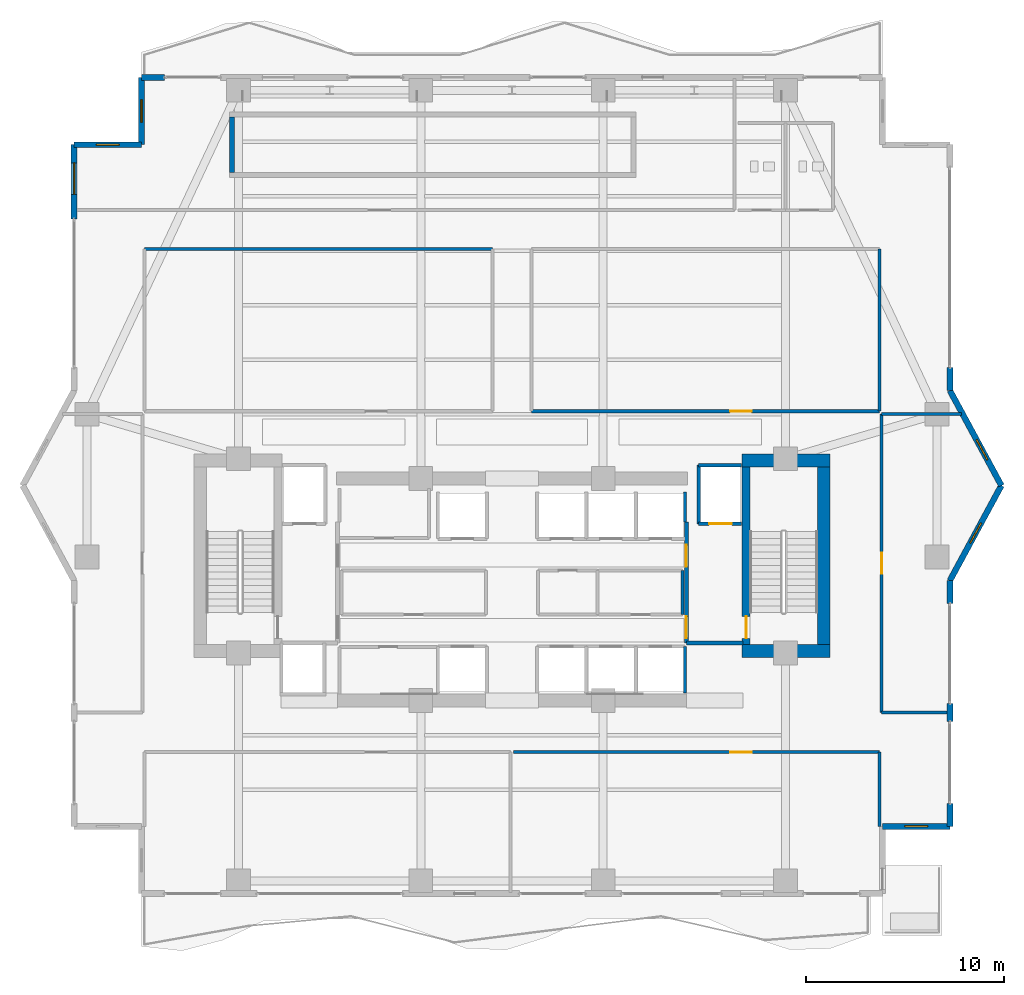
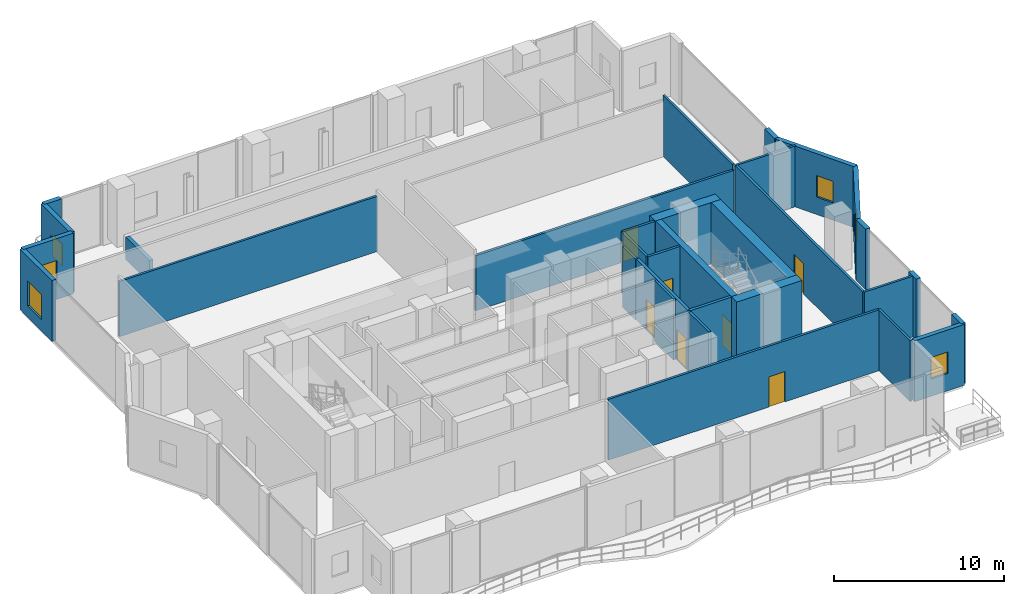
# One storey, part 28 of 33: 32 walls, 7 doors, 6 windows, 13 openings.
"""IFC4 building model written with IfcOpenShell, lengths in metres."""

from ifc_helpers import new_model, si_unit, direction, frame, frame_2d, origin, place, context, subcontext, project, spatial, rectangle, extrude, material, layer, layer_set, type_object, element, fill, save


model = new_model("IFC4")

# Units and contexts
model_context = context("Model", 3, precision=1e-05, world=origin(), true_north=direction((0.0, 1.0)))
body_context = subcontext(model_context, "Body", "Model", "MODEL_VIEW")
ifc_project = project(units=[si_unit("LENGTHUNIT", "METRE"), si_unit("AREAUNIT", "SQUARE_METRE"), si_unit("VOLUMEUNIT", "CUBIC_METRE"), si_unit("PLANEANGLEUNIT", "RADIAN"), si_unit("MASSUNIT", "GRAM", prefix="KILO")], contexts=[model_context])

# Site, building, storey
site_placement = place(None, origin())
site = spatial("IfcSite", under=ifc_project, at=site_placement, CompositionType="ELEMENT")
building_placement = place(site_placement, origin())
building = spatial("IfcBuilding", under=site, at=building_placement, Name="Zuhayl Quay Hotel", CompositionType="ELEMENT")
storey_placement = place(building_placement, frame((0.0, 0.0, 168.199951171875)))
storey = spatial("IfcBuildingStorey", under=building, at=storey_placement, Name="L42", CompositionType="ELEMENT", Elevation=168.199951171875)

# Walls
ifc_material_1 = material(Name="Concrete C50/60", Category="concrete")
ifc_layer_1 = layer(ifc_material_1, 0.64990234375, Name="Concrete C50/60", Category="concrete")
ifc_layer_set_1 = layer_set([ifc_layer_1], Name="Concrete C50/60")
wall_type_1 = type_object("IfcWallType", Name="WL_CORE_650", PredefinedType="SHEAR", material=ifc_layer_set_1)
wall_1_placement = place(storey_placement, frame((11.60009765625, 14.2548828125, 0.0), z_axis=(0.0, 0.0, 1.0), x_axis=(1.0, 0.0, 0.0)))
element("IfcWall", 1, at=wall_1_placement, inside=storey, type_object=wall_type_1, Name="L42 Core Shear Wall CW_NE", PredefinedType="SHEAR", context=body_context, shape_type="SweptSolid", body=[
    extrude(rectangle(XDim=4.4599609375, YDim=0.64990234375, at=frame_2d((2.22998046875, 0.0))), origin(), (0.0, 0.0, 1.0), 4.41015625),
])
wall_2_placement = place(storey_placement, frame((15.735107421875, 4.969970703125, 0.0), z_axis=(0.0, 0.0, 1.0), x_axis=(0.0, 1.0, 0.0)))
element("IfcWall", 2, at=wall_2_placement, inside=storey, type_object=wall_type_1, Name="L42 Core Shear Wall CW_E", PredefinedType="SHEAR", context=body_context, shape_type="SweptSolid", body=[
    extrude(rectangle(XDim=8.9599609375, YDim=0.64990234375, at=frame_2d((4.47998046875, 0.0))), origin(), (0.0, 0.0, 1.0), 4.41015625),
])
wall_3_placement = place(storey_placement, frame((11.60009765625, 4.64501953125, 0.0), z_axis=(0.0, 0.0, 1.0), x_axis=(1.0, 0.0, 0.0)))
element("IfcWall", 3, at=wall_3_placement, inside=storey, type_object=wall_type_1, Name="L42 Core Shear Wall CW_SE", PredefinedType="SHEAR", context=body_context, shape_type="SweptSolid", body=[
    extrude(rectangle(XDim=4.4599609375, YDim=0.64990234375, at=frame_2d((2.22998046875, 0.0))), origin(), (0.0, 0.0, 1.0), 4.41015625),
])

# Wall, opening, window
ifc_material_2 = material(Name="Precast concrete C45/55", Category="concrete")
ifc_layer_2 = layer(ifc_material_2, 0.300048828125, Name="Precast concrete C45/55", Category="concrete")
ifc_layer_set_2 = layer_set([ifc_layer_2], Name="Precast concrete C45/55")
wall_type_2 = type_object("IfcWallType", Name="WL_EXT_300", PredefinedType="STANDARD", material=ifc_layer_set_2)
wall_4_placement = place(storey_placement, frame((-22.10009765625, 26.449951171875, 0.0), z_axis=(0.0, 0.0, 1.0), x_axis=(0.0, 1.0, 0.0)))
wall_4 = element("IfcWall", 4, at=wall_4_placement, inside=storey, type_object=wall_type_2, Name="L42 Exterior Precast Wall ENV_L42_E05_EW2", PredefinedType="STANDARD", context=body_context, shape_type="SweptSolid", body=[
    extrude(rectangle(XDim=3.75, YDim=0.300048828125, at=frame_2d((1.875, 0.0))), origin(), (0.0, 0.0, 1.0), 4.380126953125),
])
opening_1_placement = place(wall_4_placement, frame((1.239990234375, 0.0, 0.85009765625)))
opening_1 = element("IfcOpeningElement", 5, at=opening_1_placement, cuts=wall_4, Name="Opening W01", PredefinedType="OPENING", context=body_context, shape_type="SweptSolid", body=[
    extrude(rectangle(XDim=1.60009765625, YDim=1.800048828125, at=frame_2d((0.800048828125, 0.89990234375))), frame((0.0, 0.159912109375, 0.0), z_axis=(0.0, -1.0, 0.0), x_axis=(1.0, 0.0, 0.0)), (0.0, 0.0, 1.0), 0.320068359375),
])
ifc_material_3 = material(Name="Dark Ceramic-Fritted Solar Glass", Category="glass")
window_type_1 = type_object("IfcWindowType", Name="WN_OPERABLE_1600", PartitioningType="DOUBLE_PANEL_VERTICAL", PredefinedType="WINDOW", material=ifc_material_3)
window_1_placement = place(opening_1_placement, origin())
window_1 = element("IfcWindow", 6, at=window_1_placement, inside=storey, type_object=window_type_1, Name="L42 Operable Facade Window 2-1", OverallHeight=1.800048828125, OverallWidth=1.60009765625, PartitioningType="SINGLE_PANEL", PredefinedType="WINDOW", context=body_context, shape_type="SweptSolid", body=[
    extrude(rectangle(XDim=1.60009765625, YDim=1.800048828125, at=frame_2d((0.800048828125, 0.89990234375))), frame((0.0, 0.030029296875, 0.0), z_axis=(0.0, -1.0, 0.0), x_axis=(1.0, 0.0, 0.0)), (0.0, 0.0, 1.0), 0.06005859375),
])
fill(opening_1, window_1)

wall_5_placement = place(storey_placement, frame((-22.10009765625, 30.199951171875, 0.0), z_axis=(0.0, 0.0, 1.0), x_axis=(1.0, 0.0, 0.0)))
wall_5 = element("IfcWall", 7, at=wall_5_placement, inside=storey, type_object=wall_type_2, Name="L42 Exterior Precast Wall ENV_L42_EW06", PredefinedType="STANDARD", context=body_context, shape_type="SweptSolid", body=[
    extrude(rectangle(XDim=3.400146484375, YDim=0.300048828125, at=frame_2d((1.7001953125, 0.0))), origin(), (0.0, 0.0, 1.0), 4.380126953125),
])
opening_2_placement = place(wall_5_placement, frame((1.125, 0.0, 1.25)))
opening_2 = element("IfcOpeningElement", 8, at=opening_2_placement, cuts=wall_5, Name="Opening W01N", PredefinedType="OPENING", context=body_context, shape_type="SweptSolid", body=[
    extrude(rectangle(XDim=1.14990234375, YDim=1.550048828125, at=frame_2d((0.574951171875, 0.77490234375))), frame((0.0, 0.159912109375, 0.0), z_axis=(0.0, -1.0, 0.0), x_axis=(1.0, 0.0, 0.0)), (0.0, 0.0, 1.0), 0.320068359375),
])
window_type_2 = type_object("IfcWindowType", Name="WN_NOTCH_1350", PartitioningType="SINGLE_PANEL", PredefinedType="WINDOW", material=ifc_material_3)
window_2_placement = place(opening_2_placement, origin())
window_2 = element("IfcWindow", 9, at=window_2_placement, inside=storey, type_object=window_type_2, Name="L42 Corner Notch Window 6", OverallHeight=1.550048828125, OverallWidth=1.14990234375, PartitioningType="SINGLE_PANEL", PredefinedType="WINDOW", context=body_context, shape_type="SweptSolid", body=[
    extrude(rectangle(XDim=1.14990234375, YDim=1.550048828125, at=frame_2d((0.574951171875, 0.77490234375))), frame((0.0, 0.030029296875, 0.0), z_axis=(0.0, -1.0, 0.0), x_axis=(1.0, 0.0, 0.0)), (0.0, 0.0, 1.0), 0.06005859375),
])
fill(opening_2, window_2)

wall_6_placement = place(storey_placement, frame((-18.699951171875, 30.199951171875, 0.0), z_axis=(0.0, 0.0, 1.0), x_axis=(0.0, 1.0, 0.0)))
wall_6 = element("IfcWall", 10, at=wall_6_placement, inside=storey, type_object=wall_type_2, Name="L42 Exterior Precast Wall ENV_L42_EW07", PredefinedType="STANDARD", context=body_context, shape_type="SweptSolid", body=[
    extrude(rectangle(XDim=3.400146484375, YDim=0.300048828125, at=frame_2d((1.7001953125, 0.0))), origin(), (0.0, 0.0, 1.0), 4.380126953125),
])
opening_3_placement = place(wall_6_placement, frame((1.125, 0.0, 1.25)))
opening_3 = element("IfcOpeningElement", 11, at=opening_3_placement, cuts=wall_6, Name="Opening W01N", PredefinedType="OPENING", context=body_context, shape_type="SweptSolid", body=[
    extrude(rectangle(XDim=1.14990234375, YDim=1.550048828125, at=frame_2d((0.574951171875, 0.77490234375))), frame((0.0, 0.159912109375, 0.0), z_axis=(0.0, -1.0, 0.0), x_axis=(1.0, 0.0, 0.0)), (0.0, 0.0, 1.0), 0.320068359375),
])
window_3_placement = place(opening_3_placement, origin())
window_3 = element("IfcWindow", 12, at=window_3_placement, inside=storey, type_object=window_type_2, Name="L42 Corner Notch Window 7", OverallHeight=1.550048828125, OverallWidth=1.14990234375, PartitioningType="SINGLE_PANEL", PredefinedType="WINDOW", context=body_context, shape_type="SweptSolid", body=[
    extrude(rectangle(XDim=1.14990234375, YDim=1.550048828125, at=frame_2d((0.574951171875, 0.77490234375))), frame((0.0, 0.030029296875, 0.0), z_axis=(0.0, -1.0, 0.0), x_axis=(1.0, 0.0, 0.0)), (0.0, 0.0, 1.0), 0.06005859375),
])
fill(opening_3, window_3)

# Walls
for number, where, z_axis, x_axis, name in (
    (13, (-18.699951171875, 33.60009765625, 0.0), (0.0, 0.0, 1.0), (1.0, 0.0, 0.0), "L42 Exterior Precast Wall ENV_L42_N_EW1"),
    (14, (22.10009765625, 18.949951171875, 0.0), (0.0, 0.0, 1.0), (0.0, -1.0, 0.0), "L42 Exterior Precast Wall ENV_L42_E11_EW2"),
):
    element("IfcWall", number, at=place(storey_placement, frame(where, z_axis=z_axis, x_axis=x_axis)), inside=storey, type_object=wall_type_2, Name=name, PredefinedType="STANDARD", context=body_context, shape_type="SweptSolid", body=[
        extrude(rectangle(XDim=1.14990234375, YDim=0.300048828125, at=frame_2d((0.574951171875, 0.0))), origin(), (0.0, 0.0, 1.0), 4.380126953125),
    ])

# Wall, opening, window
wall_7_placement = place(storey_placement, frame((22.10009765625, 17.800048828125, 0.0), z_axis=(0.0, 0.0, 1.0), x_axis=(0.476258655584, -0.879305233114, 0.0)))
wall_7 = element("IfcWall", 15, at=wall_7_placement, inside=storey, type_object=wall_type_2, Name="L42 Exterior Precast Wall ENV_L42_EW12", PredefinedType="STANDARD", context=body_context, shape_type="SweptSolid", body=[
    extrude(rectangle(XDim=5.458984375, YDim=0.300048828125, at=frame_2d((2.7294921875, 0.0))), origin(), (0.0, 0.0, 1.0), 4.380126953125),
])
opening_4_placement = place(wall_7_placement, frame((2.83251953125, 0.0, 1.25)))
opening_4 = element("IfcOpeningElement", 16, at=opening_4_placement, cuts=wall_7, Name="Opening W01N", PredefinedType="OPENING", context=body_context, shape_type="SweptSolid", body=[
    extrude(rectangle(XDim=1.14990234375, YDim=1.550048828125, at=frame_2d((0.574951171875, 0.77490234375))), frame((0.0, 0.159912109375, 0.0), z_axis=(0.0, -1.0, 0.0), x_axis=(1.0, 0.0, 0.0)), (0.0, 0.0, 1.0), 0.320068359375),
])
window_4_placement = place(opening_4_placement, origin())
window_4 = element("IfcWindow", 17, at=window_4_placement, inside=storey, type_object=window_type_2, Name="L42 Corner Notch Window 12", OverallHeight=1.550048828125, OverallWidth=1.14990234375, PartitioningType="SINGLE_PANEL", PredefinedType="WINDOW", context=body_context, shape_type="SweptSolid", body=[
    extrude(rectangle(XDim=1.14990234375, YDim=1.550048828125, at=frame_2d((0.574951171875, 0.77490234375))), frame((0.0, 0.030029296875, 0.0), z_axis=(0.0, -1.0, 0.0), x_axis=(1.0, 0.0, 0.0)), (0.0, 0.0, 1.0), 0.06005859375),
])
fill(opening_4, window_4)

wall_8_placement = place(storey_placement, frame((24.699951171875, 13.0, 0.0), z_axis=(0.0, 0.0, 1.0), x_axis=(-0.476258655584, -0.879305233114, 0.0)))
wall_8 = element("IfcWall", 18, at=wall_8_placement, inside=storey, type_object=wall_type_2, Name="L42 Exterior Precast Wall ENV_L42_EW13", PredefinedType="STANDARD", context=body_context, shape_type="SweptSolid", body=[
    extrude(rectangle(XDim=5.458984375, YDim=0.300048828125, at=frame_2d((2.7294921875, 0.0))), origin(), (0.0, 0.0, 1.0), 4.380126953125),
])
opening_5_placement = place(wall_8_placement, frame((2.154541015625, 0.0, 1.25)))
opening_5 = element("IfcOpeningElement", 19, at=opening_5_placement, cuts=wall_8, Name="Opening W01N", PredefinedType="OPENING", context=body_context, shape_type="SweptSolid", body=[
    extrude(rectangle(XDim=1.14990234375, YDim=1.550048828125, at=frame_2d((0.574951171875, 0.77490234375))), frame((0.0, 0.159912109375, 0.0), z_axis=(0.0, -1.0, 0.0), x_axis=(1.0, 0.0, 0.0)), (0.0, 0.0, 1.0), 0.320068359375),
])
window_5_placement = place(opening_5_placement, origin())
window_5 = element("IfcWindow", 20, at=window_5_placement, inside=storey, type_object=window_type_2, Name="L42 Corner Notch Window 13", OverallHeight=1.550048828125, OverallWidth=1.14990234375, PartitioningType="SINGLE_PANEL", PredefinedType="WINDOW", context=body_context, shape_type="SweptSolid", body=[
    extrude(rectangle(XDim=1.14990234375, YDim=1.550048828125, at=frame_2d((0.574951171875, 0.77490234375))), frame((0.0, 0.030029296875, 0.0), z_axis=(0.0, -1.0, 0.0), x_axis=(1.0, 0.0, 0.0)), (0.0, 0.0, 1.0), 0.06005859375),
])
fill(opening_5, window_5)

# Walls
wall_9_placement = place(storey_placement, frame((22.10009765625, 8.199951171875, 0.0), z_axis=(0.0, 0.0, 1.0), x_axis=(0.0, -1.0, 0.0)))
element("IfcWall", 21, at=wall_9_placement, inside=storey, type_object=wall_type_2, Name="L42 Exterior Precast Wall ENV_L42_E14_EW1", PredefinedType="STANDARD", context=body_context, shape_type="SweptSolid", body=[
    extrude(rectangle(XDim=1.14990234375, YDim=0.300048828125, at=frame_2d((0.574951171875, 0.0))), origin(), (0.0, 0.0, 1.0), 4.380126953125),
])
wall_10_placement = place(storey_placement, frame((22.10009765625, 2.0, 0.0), z_axis=(0.0, 0.0, 1.0), x_axis=(0.0, -1.0, 0.0)))
element("IfcWall", 22, at=wall_10_placement, inside=storey, type_object=wall_type_2, Name="L42 Exterior Precast Wall ENV_L42_E14_EW2", PredefinedType="STANDARD", context=body_context, shape_type="SweptSolid", body=[
    extrude(rectangle(XDim=0.89990234375, YDim=0.300048828125, at=frame_2d((0.449951171875, 0.0))), origin(), (0.0, 0.0, 1.0), 4.380126953125),
])
wall_11_placement = place(storey_placement, frame((22.10009765625, -3.050048828125, 0.0), z_axis=(0.0, 0.0, 1.0), x_axis=(0.0, -1.0, 0.0)))
element("IfcWall", 23, at=wall_11_placement, inside=storey, type_object=wall_type_2, Name="L42 Exterior Precast Wall ENV_L42_E14_EW3", PredefinedType="STANDARD", context=body_context, shape_type="SweptSolid", body=[
    extrude(rectangle(XDim=1.14990234375, YDim=0.300048828125, at=frame_2d((0.574951171875, 0.0))), origin(), (0.0, 0.0, 1.0), 4.380126953125),
])

# Wall, opening, window
wall_12_placement = place(storey_placement, frame((22.10009765625, -4.199951171875, 0.0), z_axis=(0.0, 0.0, 1.0), x_axis=(-1.0, 0.0, 0.0)))
wall_12 = element("IfcWall", 24, at=wall_12_placement, inside=storey, type_object=wall_type_2, Name="L42 Exterior Precast Wall ENV_L42_EW15", PredefinedType="STANDARD", context=body_context, shape_type="SweptSolid", body=[
    extrude(rectangle(XDim=3.400146484375, YDim=0.300048828125, at=frame_2d((1.7001953125, 0.0))), origin(), (0.0, 0.0, 1.0), 4.380126953125),
])
opening_6_placement = place(wall_12_placement, frame((1.125, 0.0, 1.25)))
opening_6 = element("IfcOpeningElement", 25, at=opening_6_placement, cuts=wall_12, Name="Opening W01N", PredefinedType="OPENING", context=body_context, shape_type="SweptSolid", body=[
    extrude(rectangle(XDim=1.14990234375, YDim=1.550048828125, at=frame_2d((0.574951171875, 0.77490234375))), frame((0.0, 0.159912109375, 0.0), z_axis=(0.0, -1.0, 0.0), x_axis=(1.0, 0.0, 0.0)), (0.0, 0.0, 1.0), 0.320068359375),
])
window_6_placement = place(opening_6_placement, origin())
window_6 = element("IfcWindow", 26, at=window_6_placement, inside=storey, type_object=window_type_2, Name="L42 Corner Notch Window 15", OverallHeight=1.550048828125, OverallWidth=1.14990234375, PartitioningType="SINGLE_PANEL", PredefinedType="WINDOW", context=body_context, shape_type="SweptSolid", body=[
    extrude(rectangle(XDim=1.14990234375, YDim=1.550048828125, at=frame_2d((0.574951171875, 0.77490234375))), frame((0.0, 0.030029296875, 0.0), z_axis=(0.0, -1.0, 0.0), x_axis=(1.0, 0.0, 0.0)), (0.0, 0.0, 1.0), 0.06005859375),
])
fill(opening_6, window_6)

# Walls
ifc_material_4 = material(Name="Acoustic Gypsum Partition STC-58")
ifc_layer_3 = layer(ifc_material_4, 0.14990234375, Name="Acoustic Gypsum Partition STC-58")
ifc_layer_set_3 = layer_set([ifc_layer_3], Name="Acoustic Gypsum Partition STC-58")
wall_type_3 = type_object("IfcWallType", Name="WL_PART_150", PredefinedType="PARTITIONING", material=ifc_layer_set_3)
wall_13_placement = place(storey_placement, frame((8.610107421875, 6.47998046875, 0.0), z_axis=(0.0, 0.0, 1.0), x_axis=(0.0, 1.0, 0.0)))
element("IfcWall", 27, at=wall_13_placement, inside=storey, type_object=wall_type_3, Name="L42 Partition IW_L42_CORE_LN_E", PredefinedType="PARTITIONING", context=body_context, shape_type="SweptSolid", body=[
    extrude(rectangle(XDim=2.239990234375, YDim=0.14990234375, at=frame_2d((1.1201171875, 0.0))), origin(), (0.0, 0.0, 1.0), 4.380126953125),
])
wall_14_placement = place(storey_placement, frame((-18.550048828125, 24.949951171875, 0.0), z_axis=(0.0, 0.0, 1.0), x_axis=(1.0, 0.0, 0.0)))
element("IfcWall", 28, at=wall_14_placement, inside=storey, type_object=wall_type_3, Name="L42 Partition IW_L42_SPA_LOBBY_N", PredefinedType="PARTITIONING", context=body_context, shape_type="SweptSolid", body=[
    extrude(rectangle(XDim=17.570068359375, YDim=0.14990234375, at=frame_2d((8.78515625, 0.0))), origin(), (0.0, 0.0, 1.0), 3.97412109375),
])
wall_15_placement = place(storey_placement, frame((18.550048828125, 16.75, 0.0), z_axis=(0.0, 0.0, 1.0), x_axis=(0.0, 1.0, 0.0)))
element("IfcWall", 29, at=wall_15_placement, inside=storey, type_object=wall_type_3, Name="L42 Partition IW_L42_HYDRO_SPA_E", PredefinedType="PARTITIONING", context=body_context, shape_type="SweptSolid", body=[
    extrude(rectangle(XDim=8.199951171875, YDim=0.14990234375, at=frame_2d((4.10009765625, 0.0))), origin(), (0.0, 0.0, 1.0), 4.380126953125),
])
wall_16_placement = place(storey_placement, frame((18.64990234375, 1.550048828125, 0.0), z_axis=(0.0, 0.0, 1.0), x_axis=(1.0, 0.0, 0.0)))
element("IfcWall", 30, at=wall_16_placement, inside=storey, type_object=wall_type_3, Name="L42 Partition IW_L42_PROW_SPA_E_S", PredefinedType="PARTITIONING", context=body_context, shape_type="SweptSolid", body=[
    extrude(rectangle(XDim=3.39013671875, YDim=0.14990234375, at=frame_2d((1.695068359375, 0.0))), origin(), (0.0, 0.0, 1.0), 4.380126953125),
])
wall_17_placement = place(storey_placement, frame((18.64990234375, 16.60009765625, 0.0), z_axis=(0.0, 0.0, 1.0), x_axis=(1.0, 0.0, 0.0)))
element("IfcWall", 31, at=wall_17_placement, inside=storey, type_object=wall_type_3, Name="L42 Partition IW_L42_PROW_SPA_E_N", PredefinedType="PARTITIONING", context=body_context, shape_type="SweptSolid", body=[
    extrude(rectangle(XDim=4.0400390625, YDim=0.14990234375, at=frame_2d((2.02001953125, 0.0))), origin(), (0.0, 0.0, 1.0), 4.380126953125),
])
wall_18_placement = place(storey_placement, frame((18.550048828125, -4.199951171875, 0.0), z_axis=(0.0, 0.0, 1.0), x_axis=(0.0, 1.0, 0.0)))
element("IfcWall", 32, at=wall_18_placement, inside=storey, type_object=wall_type_3, Name="L42 Partition IW_L42_JUICE_BAR_E", PredefinedType="PARTITIONING", context=body_context, shape_type="SweptSolid", body=[
    extrude(rectangle(XDim=3.75, YDim=0.14990234375, at=frame_2d((1.875, 0.0))), origin(), (0.0, 0.0, 1.0), 4.380126953125),
])

# Wall, opening, door
ifc_layer_4 = layer(ifc_material_4, 0.159912109375, Name="Acoustic Gypsum Partition STC-58")
ifc_layer_set_4 = layer_set([ifc_layer_4], Name="Acoustic Gypsum Partition STC-58")
wall_type_4 = type_object("IfcWallType", Name="WL_PART_CORR_160", PredefinedType="PARTITIONING", material=ifc_layer_set_4)
wall_19_placement = place(storey_placement, frame((0.97998046875, 16.75, 0.0), z_axis=(0.0, 0.0, 1.0), x_axis=(1.0, 0.0, 0.0)))
wall_19 = element("IfcWall", 33, at=wall_19_placement, inside=storey, type_object=wall_type_4, Name="L42 Partition IW_L42_HYDRO_SPA_S", PredefinedType="PARTITIONING", context=body_context, shape_type="SweptSolid", body=[
    extrude(rectangle(XDim=17.570068359375, YDim=0.159912109375, at=frame_2d((8.78515625, 0.0))), origin(), (0.0, 0.0, 1.0), 3.97412109375),
])
opening_7_placement = place(wall_19_placement, frame((10.030029296875, 0.0, 0.0)))
opening_7 = element("IfcOpeningElement", 34, at=opening_7_placement, cuts=wall_19, Name="Opening D05A", PredefinedType="OPENING", context=body_context, shape_type="SweptSolid", body=[
    extrude(rectangle(XDim=1.080078125, YDim=2.179931640625, at=frame_2d((0.5400390625, 1.08984375))), frame((0.0, 0.08984375, 0.0), z_axis=(0.0, -1.0, 0.0), x_axis=(1.0, 0.0, 0.0)), (0.0, 0.0, 1.0), 0.179931640625),
])
ifc_material_5 = material(Name="Solid Walnut Acoustic Fire Door")
door_type_1 = type_object("IfcDoorType", Name="DR_INT_1100", OperationType="NOTDEFINED", PredefinedType="DOOR", material=ifc_material_5)
door_1_placement = place(opening_7_placement, origin())
door_1 = element("IfcDoor", 35, at=door_1_placement, inside=storey, type_object=door_type_1, Name="L42 Thermal Hydrotherapy Spa Salon Door", OperationType="SINGLE_SWING_RIGHT", OverallHeight=2.179931640625, OverallWidth=1.080078125, PredefinedType="DOOR", context=body_context, shape_type="SweptSolid", body=[
    extrude(rectangle(XDim=1.080078125, YDim=2.179931640625, at=frame_2d((0.5400390625, 1.08984375))), frame((0.0, 0.02490234375, 0.0), z_axis=(0.0, -1.0, 0.0), x_axis=(1.0, 0.0, 0.0)), (0.0, 0.0, 1.0), 0.050048828125),
])
fill(opening_7, door_1)

wall_20_placement = place(storey_placement, frame((18.64990234375, 1.550048828125, 0.0), z_axis=(0.0, 0.0, 1.0), x_axis=(0.0, 1.0, 0.0)))
wall_20 = element("IfcWall", 36, at=wall_20_placement, inside=storey, type_object=wall_type_4, Name="L42 Partition IW_L42_PROW_SPA_E_W", PredefinedType="PARTITIONING", context=body_context, shape_type="SweptSolid", body=[
    extrude(rectangle(XDim=15.050048828125, YDim=0.159912109375, at=frame_2d((7.52490234375, 0.0))), origin(), (0.0, 0.0, 1.0), 4.380126953125),
])
opening_8_placement = place(wall_20_placement, frame((6.985107421875, 0.0, 0.0)))
opening_8 = element("IfcOpeningElement", 37, at=opening_8_placement, cuts=wall_20, Name="Opening D05A", PredefinedType="OPENING", context=body_context, shape_type="SweptSolid", body=[
    extrude(rectangle(XDim=1.080078125, YDim=2.179931640625, at=frame_2d((0.5400390625, 1.08984375))), frame((0.0, 0.08984375, 0.0), z_axis=(0.0, -1.0, 0.0), x_axis=(1.0, 0.0, 0.0)), (0.0, 0.0, 1.0), 0.179931640625),
])
door_2_placement = place(opening_8_placement, origin())
door_2 = element("IfcDoor", 38, at=door_2_placement, inside=storey, type_object=door_type_1, Name="L42 East Prow Aromatherapy Salon Door", OperationType="SINGLE_SWING_RIGHT", OverallHeight=2.179931640625, OverallWidth=1.080078125, PredefinedType="DOOR", context=body_context, shape_type="SweptSolid", body=[
    extrude(rectangle(XDim=1.080078125, YDim=2.179931640625, at=frame_2d((0.5400390625, 1.08984375))), frame((0.0, 0.02490234375, 0.0), z_axis=(0.0, -1.0, 0.0), x_axis=(1.0, 0.0, 0.0)), (0.0, 0.0, 1.0), 0.050048828125),
])
fill(opening_8, door_2)

wall_21_placement = place(storey_placement, frame((0.080078125, -0.449951171875, 0.0), z_axis=(0.0, 0.0, 1.0), x_axis=(1.0, 0.0, 0.0)))
wall_21 = element("IfcWall", 39, at=wall_21_placement, inside=storey, type_object=wall_type_4, Name="L42 Partition IW_L42_JUICE_BAR_N", PredefinedType="PARTITIONING", context=body_context, shape_type="SweptSolid", body=[
    extrude(rectangle(XDim=18.469970703125, YDim=0.159912109375, at=frame_2d((9.23486328125, 0.0))), origin(), (0.0, 0.0, 1.0), 4.380126953125),
])
opening_9_placement = place(wall_21_placement, frame((10.929931640625, 0.0, 0.0)))
opening_9 = element("IfcOpeningElement", 40, at=opening_9_placement, cuts=wall_21, Name="Opening D05A", PredefinedType="OPENING", context=body_context, shape_type="SweptSolid", body=[
    extrude(rectangle(XDim=1.080078125, YDim=2.179931640625, at=frame_2d((0.5400390625, 1.08984375))), frame((0.0, 0.08984375, 0.0), z_axis=(0.0, -1.0, 0.0), x_axis=(1.0, 0.0, 0.0)), (0.0, 0.0, 1.0), 0.179931640625),
])
door_3_placement = place(opening_9_placement, origin())
door_3 = element("IfcDoor", 41, at=door_3_placement, inside=storey, type_object=door_type_1, Name="L42 Vitality Juice Bar and Pantry Door", OperationType="SINGLE_SWING_RIGHT", OverallHeight=2.179931640625, OverallWidth=1.080078125, PredefinedType="DOOR", context=body_context, shape_type="SweptSolid", body=[
    extrude(rectangle(XDim=1.080078125, YDim=2.179931640625, at=frame_2d((0.5400390625, 1.08984375))), frame((0.0, 0.02490234375, 0.0), z_axis=(0.0, -1.0, 0.0), x_axis=(1.0, 0.0, 0.0)), (0.0, 0.0, 1.0), 0.050048828125),
])
fill(opening_9, door_3)

ifc_material_6 = material(Name="Gypsum Fireboard Assembly EI-90")
ifc_layer_5 = layer(ifc_material_6, 0.1650390625, Name="Gypsum Fireboard Assembly EI-90")
ifc_layer_set_5 = layer_set([ifc_layer_5], Name="Gypsum Fireboard Assembly EI-90")
wall_type_5 = type_object("IfcWallType", Name="WL_PART_SHAFT_160", PredefinedType="PARTITIONING", material=ifc_layer_set_5)
wall_22_placement = place(storey_placement, frame((9.419921875, 11.070068359375, 0.0), z_axis=(0.0, 0.0, 1.0), x_axis=(1.0, 0.0, 0.0)))
wall_22 = element("IfcWall", 42, at=wall_22_placement, inside=storey, type_object=wall_type_5, Name="L42 Partition IW_L42_SH_FL2_F", PredefinedType="PARTITIONING", context=body_context, shape_type="SweptSolid", body=[
    extrude(rectangle(XDim=2.16015625, YDim=0.1650390625, at=frame_2d((1.080078125, 0.0))), origin(), (0.0, 0.0, 1.0), 4.380126953125),
])
opening_10_placement = place(wall_22_placement, frame((0.530029296875, 0.0, 0.0)))
opening_10 = element("IfcOpeningElement", 43, at=opening_10_placement, cuts=wall_22, Name="Opening LD2", PredefinedType="OPENING", context=body_context, shape_type="SweptSolid", body=[
    extrude(rectangle(XDim=1.14990234375, YDim=2.25, at=frame_2d((0.574951171875, 1.125))), frame((0.0, 0.092529296875, 0.0), z_axis=(0.0, -1.0, 0.0), x_axis=(1.0, 0.0, 0.0)), (0.0, 0.0, 1.0), 0.18505859375),
])
ifc_material_7 = material(Name="Brushed Stainless Steel", Category="steel")
door_type_2 = type_object("IfcDoorType", Name="DR_LIFT_FF_1100", OperationType="SLIDING_TO_LEFT", PredefinedType="DOOR", material=ifc_material_7)
door_4_placement = place(opening_10_placement, origin())
door_4 = element("IfcDoor", 44, at=door_4_placement, inside=storey, type_object=door_type_2, Name="L42 Lift FL2 Sliding Landing Door", OperationType="SLIDING_TO_LEFT", OverallHeight=2.25, OverallWidth=1.14990234375, PredefinedType="DOOR", context=body_context, shape_type="SweptSolid", body=[
    extrude(rectangle(XDim=1.14990234375, YDim=2.25, at=frame_2d((0.574951171875, 1.125))), frame((0.0, 0.02490234375, 0.0), z_axis=(0.0, -1.0, 0.0), x_axis=(1.0, 0.0, 0.0)), (0.0, 0.0, 1.0), 0.050048828125),
])
fill(opening_10, door_4)

# Walls
wall_23_placement = place(storey_placement, frame((9.419921875, 11.070068359375, 0.0), z_axis=(0.0, 0.0, 1.0), x_axis=(0.0, 1.0, 0.0)))
element("IfcWall", 45, at=wall_23_placement, inside=storey, type_object=wall_type_5, Name="L42 Partition IW_L42_SH_FL2_W", PredefinedType="PARTITIONING", context=body_context, shape_type="SweptSolid", body=[
    extrude(rectangle(XDim=2.9599609375, YDim=0.1650390625, at=frame_2d((1.47998046875, 0.0))), origin(), (0.0, 0.0, 1.0), 4.380126953125),
])
wall_24_placement = place(storey_placement, frame((9.419921875, 14.030029296875, 0.0), z_axis=(0.0, 0.0, 1.0), x_axis=(1.0, 0.0, 0.0)))
element("IfcWall", 46, at=wall_24_placement, inside=storey, type_object=wall_type_5, Name="L42 Partition IW_L42_SH_FL2_B", PredefinedType="PARTITIONING", context=body_context, shape_type="SweptSolid", body=[
    extrude(rectangle(XDim=2.16015625, YDim=0.1650390625, at=frame_2d((1.080078125, 0.0))), origin(), (0.0, 0.0, 1.0), 4.380126953125),
])
wall_25_placement = place(storey_placement, frame((8.72998046875, 2.52001953125, 0.0), z_axis=(0.0, 0.0, 1.0), x_axis=(0.0, 1.0, 0.0)))
element("IfcWall", 47, at=wall_25_placement, inside=storey, type_object=wall_type_5, Name="L42 Partition IW_L42_SH_HP2_E", PredefinedType="PARTITIONING", context=body_context, shape_type="SweptSolid", body=[
    extrude(rectangle(XDim=2.35986328125, YDim=0.1650390625, at=frame_2d((1.179931640625, 0.0))), origin(), (0.0, 0.0, 1.0), 4.380126953125),
])
wall_26_placement = place(storey_placement, frame((8.72998046875, 11.14990234375, 0.0), z_axis=(0.0, 0.0, 1.0), x_axis=(0.0, 1.0, 0.0)))
element("IfcWall", 48, at=wall_26_placement, inside=storey, type_object=wall_type_5, Name="L42 Partition IW_L42_SH_HP4_E", PredefinedType="PARTITIONING", context=body_context, shape_type="SweptSolid", body=[
    extrude(rectangle(XDim=1.530029296875, YDim=0.1650390625, at=frame_2d((0.76513671875, 0.0))), origin(), (0.0, 0.0, 1.0), 4.380126953125),
])

# Wall, openings, doors
ifc_material_8 = material(Name="Gypsum Fireboard Assembly EI-120")
ifc_layer_6 = layer(ifc_material_8, 0.199951171875, Name="Gypsum Fireboard Assembly EI-120")
ifc_layer_set_6 = layer_set([ifc_layer_6], Name="Gypsum Fireboard Assembly EI-120")
wall_type_6 = type_object("IfcWallType", Name="WL_PART_SHAFT_200", PredefinedType="PARTITIONING", material=ifc_layer_set_6)
wall_27_placement = place(storey_placement, frame((8.800048828125, 11.14990234375, 0.0), z_axis=(0.0, 0.0, 1.0), x_axis=(0.0, -1.0, 0.0)))
wall_27 = element("IfcWall", 49, at=wall_27_placement, inside=storey, type_object=wall_type_6, Name="L42 Partition IW_L42_FSAE_E_W", PredefinedType="PARTITIONING", context=body_context, shape_type="SweptSolid", body=[
    extrude(rectangle(XDim=6.099853515625, YDim=0.199951171875, at=frame_2d((3.0498046875, 0.0))), origin(), (0.0, 0.0, 1.0), 4.380126953125),
])
opening_11_placement = place(wall_27_placement, frame((1.14990234375, 0.0, 0.0)))
opening_11 = element("IfcOpeningElement", 50, at=opening_11_placement, cuts=wall_27, Name="Opening D02", PredefinedType="OPENING", context=body_context, shape_type="SweptSolid", body=[
    extrude(rectangle(XDim=1.10009765625, YDim=2.199951171875, at=frame_2d((0.550048828125, 1.10009765625))), frame((0.0, 0.10986328125, 0.0), z_axis=(0.0, -1.0, 0.0), x_axis=(1.0, 0.0, 0.0)), (0.0, 0.0, 1.0), 0.219970703125),
])
opening_12_placement = place(wall_27_placement, frame((4.75, 0.0, 0.0)))
opening_12 = element("IfcOpeningElement", 51, at=opening_12_placement, cuts=wall_27, Name="Opening D02", PredefinedType="OPENING", context=body_context, shape_type="SweptSolid", body=[
    extrude(rectangle(XDim=1.10009765625, YDim=2.199951171875, at=frame_2d((0.550048828125, 1.10009765625))), frame((0.0, 0.10986328125, 0.0), z_axis=(0.0, -1.0, 0.0), x_axis=(1.0, 0.0, 0.0)), (0.0, 0.0, 1.0), 0.219970703125),
])
ifc_material_9 = material(Name="Steel ASTM A992 Grade 50", Category="steel")
door_type_3 = type_object("IfcDoorType", Name="DR_FIRE_90_1100", OperationType="NOTDEFINED", PredefinedType="DOOR", material=ifc_material_9)
door_5_placement = place(opening_11_placement, origin())
door_5 = element("IfcDoor", 52, at=door_5_placement, inside=storey, type_object=door_type_3, Name="L42 FSAE Lobby East North Entry Door", OperationType="SINGLE_SWING_LEFT", OverallHeight=2.199951171875, OverallWidth=1.10009765625, PredefinedType="DOOR", context=body_context, shape_type="SweptSolid", body=[
    extrude(rectangle(XDim=1.10009765625, YDim=2.199951171875, at=frame_2d((0.550048828125, 1.10009765625))), frame((0.0, 0.02490234375, 0.0), z_axis=(0.0, -1.0, 0.0), x_axis=(1.0, 0.0, 0.0)), (0.0, 0.0, 1.0), 0.050048828125),
])
fill(opening_11, door_5)
door_6_placement = place(opening_12_placement, origin())
door_6 = element("IfcDoor", 53, at=door_6_placement, inside=storey, type_object=door_type_3, Name="L42 FSAE Lobby East South Entry Door", OperationType="SINGLE_SWING_RIGHT", OverallHeight=2.199951171875, OverallWidth=1.10009765625, PredefinedType="DOOR", context=body_context, shape_type="SweptSolid", body=[
    extrude(rectangle(XDim=1.10009765625, YDim=2.199951171875, at=frame_2d((0.550048828125, 1.10009765625))), frame((0.0, 0.02490234375, 0.0), z_axis=(0.0, -1.0, 0.0), x_axis=(1.0, 0.0, 0.0)), (0.0, 0.0, 1.0), 0.050048828125),
])
fill(opening_12, door_6)

# Walls
wall_28_placement = place(storey_placement, frame((8.800048828125, 5.050048828125, 0.0), z_axis=(0.0, 0.0, 1.0), x_axis=(1.0, 0.0, 0.0)))
element("IfcWall", 54, at=wall_28_placement, inside=storey, type_object=wall_type_6, Name="L42 Partition IW_L42_FSAE_E_S", PredefinedType="PARTITIONING", context=body_context, shape_type="SweptSolid", body=[
    extrude(rectangle(XDim=2.849853515625, YDim=0.199951171875, at=frame_2d((1.4248046875, 0.0))), origin(), (0.0, 0.0, 1.0), 4.380126953125),
])
ifc_material_10 = material(Name="Concrete C45/55", Category="concrete")
ifc_layer_7 = layer(ifc_material_10, 0.25, Name="Concrete C45/55", Category="concrete")
ifc_layer_set_7 = layer_set([ifc_layer_7], Name="Concrete C45/55")
wall_type_7 = type_object("IfcWallType", Name="WL_POOL_250", PredefinedType="STANDARD", material=ifc_layer_set_7)
wall_29_placement = place(storey_placement, frame((-14.125, 28.800048828125, 0.0), z_axis=(0.0, 0.0, 1.0), x_axis=(0.0, 1.0, 0.0)))
element("IfcWall", 55, at=wall_29_placement, inside=storey, type_object=wall_type_7, Name="L42 Lap Pool Basin Wall West", PredefinedType="STANDARD", context=body_context, shape_type="SweptSolid", body=[
    extrude(rectangle(XDim=2.800048828125, YDim=0.25, at=frame_2d((1.39990234375, 0.0))), origin(), (0.0, 0.0, 1.0), 1.60009765625),
])

# Wall, opening, door
ifc_material_11 = material(Name="Concrete C60/75", Category="concrete")
ifc_layer_8 = layer(ifc_material_11, 0.39990234375, Name="Concrete C60/75", Category="concrete")
ifc_layer_set_8 = layer_set([ifc_layer_8], Name="Concrete C60/75")
wall_type_8 = type_object("IfcWallType", Name="WL_STAIR_400", PredefinedType="SHEAR", material=ifc_layer_set_8)
wall_30_placement = place(storey_placement, frame((11.820068359375, 13.929931640625, 0.0), z_axis=(0.0, 0.0, 1.0), x_axis=(0.0, -1.0, 0.0)))
wall_30 = element("IfcWall", 56, at=wall_30_placement, inside=storey, type_object=wall_type_8, Name="L42 Core Shear Wall SW_ST2", PredefinedType="SHEAR", context=body_context, shape_type="SweptSolid", body=[
    extrude(rectangle(XDim=8.9599609375, YDim=0.39990234375, at=frame_2d((4.47998046875, 0.0))), origin(), (0.0, 0.0, 1.0), 4.41015625),
])
opening_13_placement = place(wall_30_placement, frame((7.530029296875, 0.0, 0.0)))
opening_13 = element("IfcOpeningElement", 57, at=opening_13_placement, cuts=wall_30, Name="Opening D01", PredefinedType="OPENING", context=body_context, shape_type="SweptSolid", body=[
    extrude(rectangle(XDim=1.1201171875, YDim=2.219970703125, at=frame_2d((0.56005859375, 1.10986328125))), frame((0.0, 0.2099609375, 0.0), z_axis=(0.0, -1.0, 0.0), x_axis=(1.0, 0.0, 0.0)), (0.0, 0.0, 1.0), 0.419921875),
])
door_type_4 = type_object("IfcDoorType", Name="DR_STAIR_90_1100", OperationType="NOTDEFINED", PredefinedType="DOOR", material=ifc_material_9)
door_7_placement = place(opening_13_placement, origin())
door_7 = element("IfcDoor", 58, at=door_7_placement, inside=storey, type_object=door_type_4, Name="L42 Smokeproof Exit Stair ST2 Door", OperationType="SINGLE_SWING_RIGHT", OverallHeight=2.219970703125, OverallWidth=1.1201171875, PredefinedType="DOOR", context=body_context, shape_type="SweptSolid", body=[
    extrude(rectangle(XDim=1.1201171875, YDim=2.219970703125, at=frame_2d((0.56005859375, 1.10986328125))), frame((0.0, 0.02490234375, 0.0), z_axis=(0.0, -1.0, 0.0), x_axis=(1.0, 0.0, 0.0)), (0.0, 0.0, 1.0), 0.050048828125),
])
fill(opening_13, door_7)

save(model, "model.ifc")
